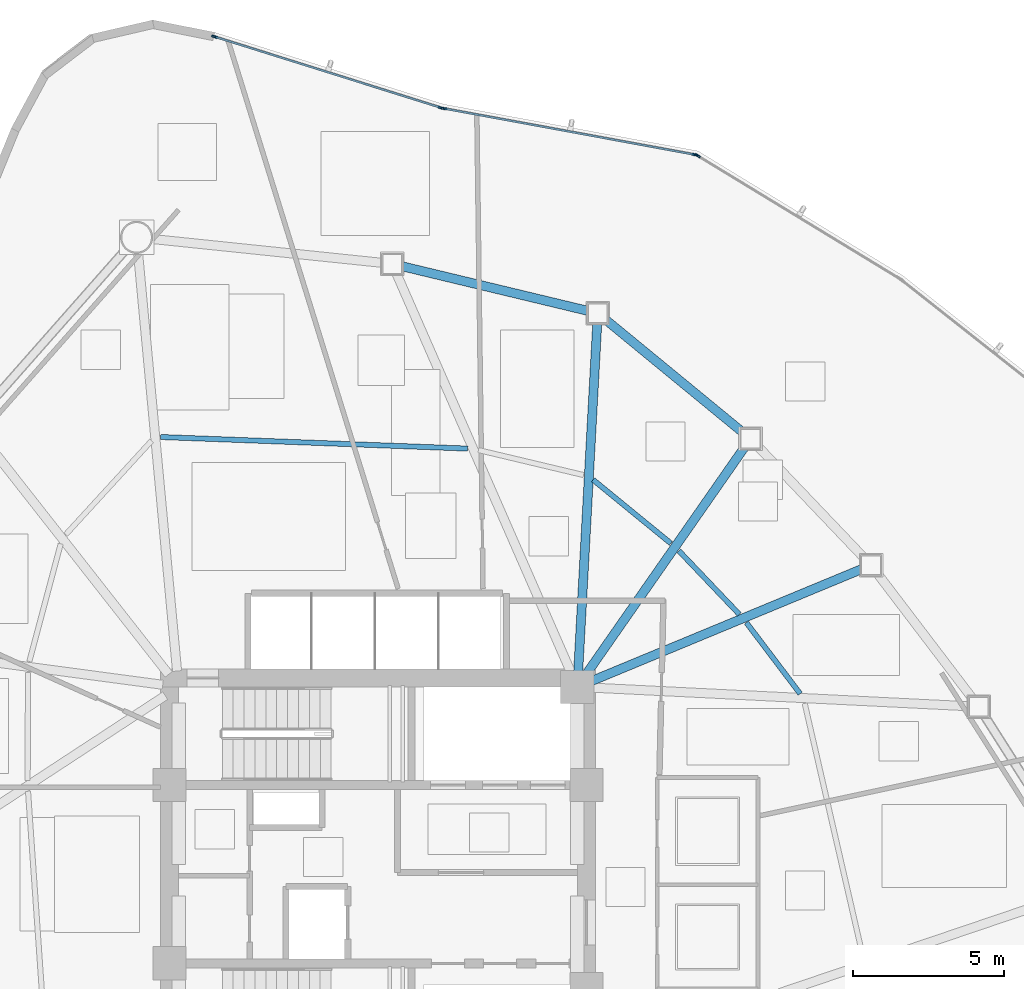
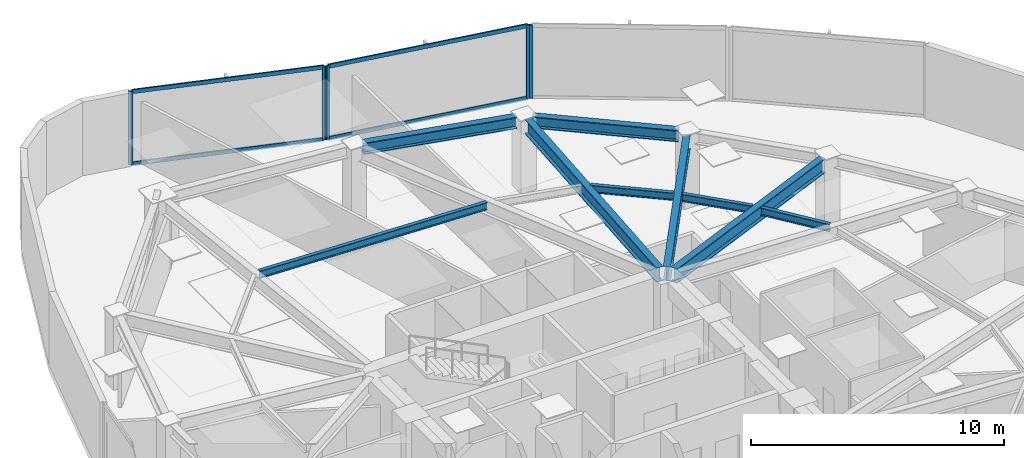
# One storey, part 8 of 16: 9 beams, 9 members, 3 elements without a shape of their own.
"""IFC4 building model written with IfcOpenShell, lengths in metres."""

from ifc_helpers import new_model, si_unit, direction, frame, origin, origin_2d, place, context, subcontext, project, spatial, hollow_rectangle, i_section, extrude, source, transform, mapped, material, layer, layer_set, material_profile, profile_set, type_object, type_shapes, element, aggregate, save


model = new_model("IFC4")

# Units and contexts
model_context = context("Model", 3, precision=1e-05, world=origin(), true_north=direction((0.0, 1.0)))
body_context = subcontext(model_context, "Body", "Model", "MODEL_VIEW")
ifc_project = project(units=[si_unit("LENGTHUNIT", "METRE"), si_unit("AREAUNIT", "SQUARE_METRE"), si_unit("VOLUMEUNIT", "CUBIC_METRE"), si_unit("PLANEANGLEUNIT", "RADIAN"), si_unit("MASSUNIT", "GRAM", prefix="KILO")], contexts=[model_context])

# Site, building, storey
site_placement = place(None, origin())
site = spatial("IfcSite", under=ifc_project, at=site_placement, CompositionType="ELEMENT")
building_placement = place(site_placement, origin())
building = spatial("IfcBuilding", under=site, at=building_placement, Name="Tavelor Broadcast Tower", CompositionType="ELEMENT")
storey_placement = place(building_placement, frame((0.0, 0.0, 138.699951171875)))
storey = spatial("IfcBuildingStorey", under=building, at=storey_placement, Name="L32", CompositionType="ELEMENT", Elevation=138.699951171875)

# Beams
ifc_material_1 = material(Name="Steel S355", Category="steel")
ifc_material_profile_1 = material_profile(ifc_material_1, i_section(OverallWidth=0.169921875, OverallDepth=0.360107421875, WebThickness=0.008056640625, FlangeThickness=0.0126953125, at=origin_2d()), Name="IPE 360")
ifc_profile_set_1 = profile_set([ifc_material_profile_1], Name="Steel S355")
beam_type_1 = type_object("IfcBeamType", Name="Composite Floor Joist T3 IPE 360", PredefinedType="JOIST", material=ifc_profile_set_1)
beam_1_placement = place(storey_placement, frame((63.97509765625, 50.974853515625, 3.3701171875), z_axis=(-0.603343158319, 0.797481682116, 0.0), x_axis=(-0.797481682116, -0.603343158319, 0.0)))
element("IfcBeam", 1, at=beam_1_placement, inside=storey, type_object=beam_type_1, Name="L32 Secondary Composite Floor Joist 14", PredefinedType="JOIST", context=body_context, shape_type="SweptSolid", body=[
    extrude(i_section(OverallWidth=0.169921875, OverallDepth=0.360107421875, WebThickness=0.008056640625, FlangeThickness=0.0126953125, at=origin_2d()), origin(), (0.0, 0.0, 1.0), 2.951416015625),
])
beam_2_placement = place(storey_placement, frame((61.960205078125, 53.60400390625, 3.3701171875), z_axis=(-0.689436692526, 0.724345944283, 0.0), x_axis=(-0.724345944283, -0.689436692526, 0.0)))
element("IfcBeam", 2, at=beam_2_placement, inside=storey, type_object=beam_type_1, Name="L32 Secondary Composite Floor Joist 15", PredefinedType="JOIST", context=body_context, shape_type="SweptSolid", body=[
    extrude(i_section(OverallWidth=0.169921875, OverallDepth=0.360107421875, WebThickness=0.008056640625, FlangeThickness=0.0126953125, at=origin_2d()), origin(), (0.0, 0.0, 1.0), 2.90234375),
])
beam_3_placement = place(storey_placement, frame((59.6943359375, 55.951904296875, 3.3701171875), z_axis=(-0.774130723206, 0.633025768345, 0.0), x_axis=(-0.633025768345, -0.774130723206, 0.0)))
element("IfcBeam", 3, at=beam_3_placement, inside=storey, type_object=beam_type_1, Name="L32 Secondary Composite Floor Joist 16", PredefinedType="JOIST", context=body_context, shape_type="SweptSolid", body=[
    extrude(i_section(OverallWidth=0.169921875, OverallDepth=0.360107421875, WebThickness=0.008056640625, FlangeThickness=0.0126953125, at=origin_2d()), origin(), (0.0, 0.0, 1.0), 3.32373046875),
])
beam_4_placement = place(storey_placement, frame((52.969970703125, 59.08837890625, 3.3701171875), z_axis=(-0.999289376722, 0.037692725691, 0.0), x_axis=(-0.037692725691, -0.999289376722, 0.0)))
element("IfcBeam", 4, at=beam_4_placement, inside=storey, type_object=beam_type_1, Name="L32 Secondary Composite Floor Joist 18", PredefinedType="JOIST", context=body_context, shape_type="SweptSolid", body=[
    extrude(i_section(OverallWidth=0.169921875, OverallDepth=0.360107421875, WebThickness=0.008056640625, FlangeThickness=0.0126953125, at=origin_2d()), origin(), (0.0, 0.0, 1.0), 10.169189453125),
])
ifc_material_profile_2 = material_profile(ifc_material_1, i_section(OverallWidth=0.300048828125, OverallDepth=0.550048828125, WebThickness=0.014892578125, FlangeThickness=0.029052734375, at=origin_2d()), Name="HEB 550")
ifc_profile_set_2 = profile_set([ifc_material_profile_2], Name="Steel S355")
beam_type_2 = type_object("IfcBeamType", Name="Perimeter Spandrel Beam T3 HEB 550", PredefinedType="SPANDREL", material=ifc_profile_set_2)
beam_5_placement = place(storey_placement, frame((62.0712890625, 59.62939453125, 3.275146484375), z_axis=(-0.772702936962, 0.634767808896, 0.0), x_axis=(-0.634767808896, -0.772702936962, 0.0)))
element("IfcBeam", 5, at=beam_5_placement, inside=storey, type_object=beam_type_2, Name="L32 Framed-Tube Ring Spandrel 16", PredefinedType="SPANDREL", context=body_context, shape_type="SweptSolid", body=[
    extrude(i_section(OverallWidth=0.300048828125, OverallDepth=0.550048828125, WebThickness=0.014892578125, FlangeThickness=0.029052734375, at=origin_2d()), origin(), (0.0, 0.0, 1.0), 5.869140625),
])
beam_6_placement = place(storey_placement, frame((56.949951171875, 63.64697265625, 3.275146484375), z_axis=(-0.972363823797, 0.233470756565, 0.0), x_axis=(-0.233470756565, -0.972363823797, 0.0)))
element("IfcBeam", 6, at=beam_6_placement, inside=storey, type_object=beam_type_2, Name="L32 Framed-Tube Ring Spandrel 17", PredefinedType="SPANDREL", context=body_context, shape_type="SweptSolid", body=[
    extrude(i_section(OverallWidth=0.300048828125, OverallDepth=0.550048828125, WebThickness=0.014892578125, FlangeThickness=0.029052734375, at=origin_2d()), origin(), (0.0, 0.0, 1.0), 6.325439453125),
])
ifc_material_profile_3 = material_profile(ifc_material_1, i_section(OverallWidth=0.300048828125, OverallDepth=0.68994140625, WebThickness=0.014404296875, FlangeThickness=0.027099609375, at=origin_2d()), Name="HEA 700")
ifc_profile_set_3 = profile_set([ifc_material_profile_3], Name="Steel S355")
beam_type_3 = type_object("IfcBeamType", Name="Radial Floor Girder T3 HEA 700", PredefinedType="BEAM", material=ifc_profile_set_3)
beam_7_placement = place(storey_placement, frame((57.087890625, 51.402099609375, 3.205078125), z_axis=(0.92381625254, 0.382836168018, 0.0), x_axis=(-0.382836168018, 0.92381625254, 0.0)))
element("IfcBeam", 7, at=beam_7_placement, inside=storey, type_object=beam_type_3, Name="L32 Radial Primary Floor Girder 15", PredefinedType="BEAM", context=body_context, shape_type="SweptSolid", body=[
    extrude(i_section(OverallWidth=0.300048828125, OverallDepth=0.68994140625, WebThickness=0.014404296875, FlangeThickness=0.027099609375, at=origin_2d()), origin(), (0.0, 0.0, 1.0), 9.659423828125),
])
beam_8_placement = place(storey_placement, frame((56.902099609375, 51.633056640625, 3.205078125), z_axis=(0.572088555537, 0.820191858423, 0.0), x_axis=(-0.820191858423, 0.572088555537, 0.0)))
element("IfcBeam", 8, at=beam_8_placement, inside=storey, type_object=beam_type_3, Name="L32 Radial Primary Floor Girder 16", PredefinedType="BEAM", context=body_context, shape_type="SweptSolid", body=[
    extrude(i_section(OverallWidth=0.300048828125, OverallDepth=0.68994140625, WebThickness=0.014404296875, FlangeThickness=0.027099609375, at=origin_2d()), origin(), (0.0, 0.0, 1.0), 9.1533203125),
])
beam_9_placement = place(storey_placement, frame((56.62890625, 51.727294921875, 3.205078125), z_axis=(0.054621583664, 0.998507126964, 0.0), x_axis=(-0.998507126964, 0.054621583664, 0.0)))
element("IfcBeam", 9, at=beam_9_placement, inside=storey, type_object=beam_type_3, Name="L32 Radial Primary Floor Girder 17", PredefinedType="BEAM", context=body_context, shape_type="SweptSolid", body=[
    extrude(i_section(OverallWidth=0.300048828125, OverallDepth=0.68994140625, WebThickness=0.014404296875, FlangeThickness=0.027099609375, at=origin_2d()), origin(), (0.0, 0.0, 1.0), 11.522705078125),
])

# Curtain wall, member
ifc_material_2 = material(Name="Architectural Anodized Aluminium", Category="aluminium")
ifc_layer = layer(ifc_material_2, 0.18994140625)
ifc_layer_set = layer_set([ifc_layer], Name="Architectural Anodized Aluminium")
curtain_wall_type = type_object("IfcCurtainWallType", Name="Tower Mid-Zone Acoustic Curtain Wall CW03", PredefinedType="NOTDEFINED", material=ifc_layer_set)
curtain_wall_1_placement = place(storey_placement, origin())
curtain_wall_1 = element("IfcCurtainWall", 10, at=curtain_wall_1_placement, inside=storey, type_object=curtain_wall_type, Name="L32 Curtain Wall CW03 Run 334", PredefinedType="NOTDEFINED")
ifc_material_profile_4 = material_profile(ifc_material_2, hollow_rectangle(XDim=0.068115234375, YDim=0.18994140625, WallThickness=0.02197265625, at=origin_2d()), Name="RHS 68x190x22")
ifc_profile_set_4 = profile_set([ifc_material_profile_4], Name="Architectural Anodized Aluminium")
member_type_1 = type_object("IfcMemberType", Name="CW03 Extruded Aluminium Mullion 68x190", PredefinedType="MULLION", material=ifc_profile_set_4)
shared_shape_1 = source(origin(), body_context, "Body", "SweptSolid", [
    extrude(hollow_rectangle(XDim=0.068115234375, YDim=0.18994140625, WallThickness=0.02197265625, at=origin_2d()), origin(), (0.0, 0.0, 1.0), 3.550048828125),
])
type_shapes(member_type_1, [shared_shape_1])
member_1_placement = place(storey_placement, frame((60.583251953125, 68.7822265625, 0.0), z_axis=(0.0, 0.0, 1.0), x_axis=(-0.519890121736, -0.854233142252, 0.0)))
member_1 = element("IfcMember", 11, at=member_1_placement, type_object=member_type_1, Name="CW03 mullion 2", PredefinedType="MULLION", context=body_context, shape_type="MappedRepresentation", body=[
    mapped(shared_shape_1, transform((0.0, 0.0, 0.0), scale=1.0)),
])
aggregate(curtain_wall_1, [member_1])

# Curtain wall, members
curtain_wall_2_placement = place(storey_placement, origin())
curtain_wall_2 = element("IfcCurtainWall", 12, at=curtain_wall_2_placement, inside=storey, type_object=curtain_wall_type, Name="L32 Curtain Wall CW03 Run 335", PredefinedType="NOTDEFINED")
member_2_placement = place(storey_placement, frame((60.4931640625, 68.81640625, 0.0), z_axis=(0.0, 0.0, 1.0), x_axis=(-0.180977244265, -0.983487283628, 0.0)))
member_2 = element("IfcMember", 13, at=member_2_placement, type_object=member_type_1, Name="CW03 mullion 1", PredefinedType="MULLION", context=body_context, shape_type="MappedRepresentation", body=[
    mapped(shared_shape_1, transform((0.0, 0.0, 0.0), scale=1.0)),
])
member_3_placement = place(storey_placement, frame((52.17919921875, 70.346435546875, 0.0), z_axis=(0.0, 0.0, 1.0), x_axis=(-0.180977244265, -0.983487283628, 0.0)))
member_3 = element("IfcMember", 14, at=member_3_placement, type_object=member_type_1, Name="CW03 mullion 2", PredefinedType="MULLION", context=body_context, shape_type="MappedRepresentation", body=[
    mapped(shared_shape_1, transform((0.0, 0.0, 0.0), scale=1.0)),
])

curtain_wall_3_placement = place(storey_placement, origin())
curtain_wall_3 = element("IfcCurtainWall", 15, at=curtain_wall_3_placement, inside=storey, type_object=curtain_wall_type, Name="L32 Curtain Wall CW03 Run 336", PredefinedType="NOTDEFINED")
member_4_placement = place(storey_placement, frame((52.084228515625, 70.369873046875, 0.0), z_axis=(0.0, 0.0, 1.0), x_axis=(-0.299433357535, -0.954117217325, 0.0)))
member_4 = element("IfcMember", 16, at=member_4_placement, type_object=member_type_1, Name="CW03 mullion 1", PredefinedType="MULLION", context=body_context, shape_type="MappedRepresentation", body=[
    mapped(shared_shape_1, transform((0.0, 0.0, 0.0), scale=1.0)),
])
member_5_placement = place(storey_placement, frame((44.59033203125, 72.721923828125, 0.0), z_axis=(0.0, 0.0, 1.0), x_axis=(-0.299433357535, -0.954117217325, 0.0)))
member_5 = element("IfcMember", 17, at=member_5_placement, type_object=member_type_1, Name="CW03 mullion 2", PredefinedType="MULLION", context=body_context, shape_type="MappedRepresentation", body=[
    mapped(shared_shape_1, transform((0.0, 0.0, 0.0), scale=1.0)),
])
ifc_material_profile_5 = material_profile(ifc_material_2, hollow_rectangle(XDim=0.068115234375, YDim=0.18994140625, WallThickness=0.02197265625, at=origin_2d()), Name="RHS 68x190x22")
ifc_profile_set_5 = profile_set([ifc_material_profile_5], Name="Architectural Anodized Aluminium")
member_type_2 = type_object("IfcMemberType", Name="CW03 Extruded Aluminium Transom 68x190", PredefinedType="USERDEFINED", material=ifc_profile_set_5)
shared_shape_2 = source(origin(), body_context, "Body", "SweptSolid", [
    extrude(hollow_rectangle(XDim=0.068115234375, YDim=0.18994140625, WallThickness=0.02197265625, at=origin_2d()), origin(), (0.0, 0.0, 1.0), 7.7861328125),
])
member_6_placement = place(storey_placement, frame((52.0517578125, 70.380126953125, 0.033935546875), z_axis=(-0.954113820478, 0.299444181063, 0.0), x_axis=(-0.299444181063, -0.954113820478, 0.0)))
member_6 = element("IfcMember", 18, at=member_6_placement, type_object=member_type_2, Name="CW03 transom 1.1", ObjectType="TRANSOM", PredefinedType="USERDEFINED", context=body_context, shape_type="MappedRepresentation", body=[
    mapped(shared_shape_2, transform((0.0, 0.0, 0.0), scale=1.0)),
])
member_7_placement = place(storey_placement, frame((52.0517578125, 70.380126953125, 3.51611328125), z_axis=(-0.954113820478, 0.299444181063, 0.0), x_axis=(-0.299444181063, -0.954113820478, 0.0)))
member_7 = element("IfcMember", 19, at=member_7_placement, type_object=member_type_2, Name="CW03 transom 1.2", ObjectType="TRANSOM", PredefinedType="USERDEFINED", context=body_context, shape_type="MappedRepresentation", body=[
    mapped(shared_shape_2, transform((0.0, 0.0, 0.0), scale=1.0)),
])
aggregate(curtain_wall_3, [member_4, member_5, member_6, member_7])

# Member
shared_shape_3 = source(origin(), body_context, "Body", "SweptSolid", [
    extrude(hollow_rectangle(XDim=0.068115234375, YDim=0.18994140625, WallThickness=0.02197265625, at=origin_2d()), origin(), (0.0, 0.0, 1.0), 8.385498046875),
])
type_shapes(member_type_2, [shared_shape_2, shared_shape_3])
member_8_placement = place(storey_placement, frame((60.459716796875, 68.822509765625, 0.033935546875), z_axis=(-0.983487570033, 0.180975687843, 0.0), x_axis=(-0.180975687843, -0.983487570033, 0.0)))
member_8 = element("IfcMember", 20, at=member_8_placement, type_object=member_type_2, Name="CW03 transom 1.1", ObjectType="TRANSOM", PredefinedType="USERDEFINED", context=body_context, shape_type="MappedRepresentation", body=[
    mapped(shared_shape_3, transform((0.0, 0.0, 0.0), scale=1.0)),
])

member_9_placement = place(storey_placement, frame((60.459716796875, 68.822509765625, 3.51611328125), z_axis=(-0.983487570033, 0.180975687843, 0.0), x_axis=(-0.180975687843, -0.983487570033, 0.0)))
member_9 = element("IfcMember", 21, at=member_9_placement, type_object=member_type_2, Name="CW03 transom 1.2", ObjectType="TRANSOM", PredefinedType="USERDEFINED", context=body_context, shape_type="MappedRepresentation", body=[
    mapped(shared_shape_3, transform((0.0, 0.0, 0.0), scale=1.0)),
])

aggregate(curtain_wall_2, [member_2, member_3, member_8, member_9])

save(model, "model.ifc")
